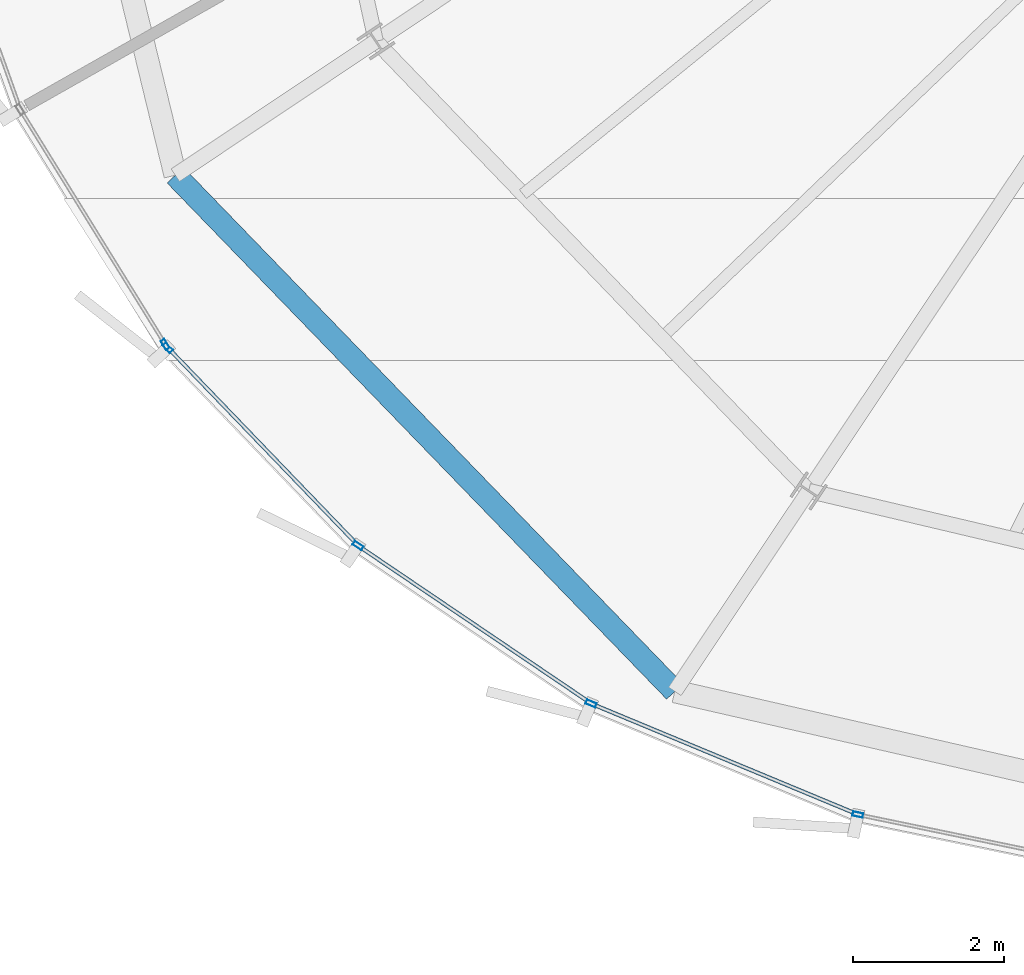
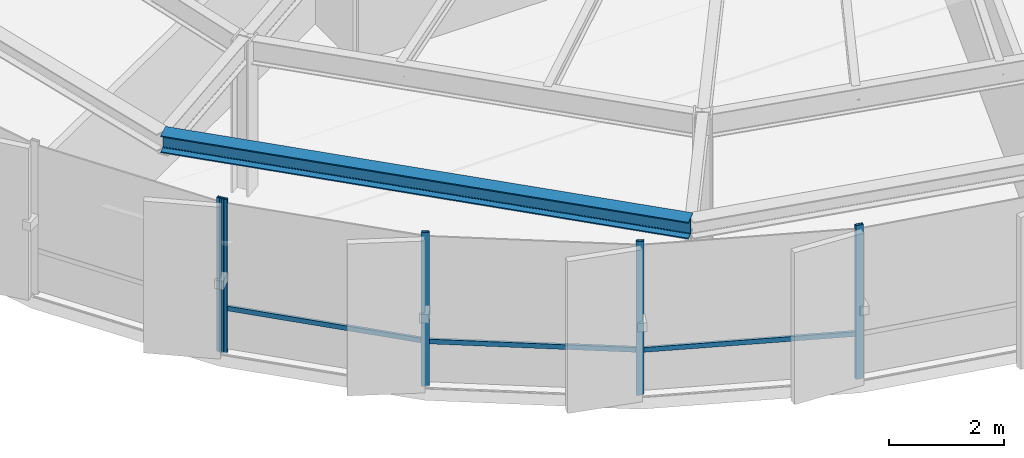
# One storey, part 2 of 34: 8 members, 1 beam, 2 elements without a shape of their own.
"""IFC4 building model written with IfcOpenShell, lengths in metres."""

from ifc_helpers import new_model, si_unit, direction, frame, origin, origin_2d, place, context, subcontext, project, spatial, hollow_rectangle, i_section, extrude, source, transform, mapped, material, layer, layer_set, material_profile, profile_set, type_object, element, aggregate, save


model = new_model("IFC4")

# Units and contexts
model_context = context("Model", 3, precision=1e-05, world=origin(), true_north=direction((0.0, 1.0)))
body_context = subcontext(model_context, "Body", "Model", "MODEL_VIEW")
ifc_project = project(units=[si_unit("LENGTHUNIT", "METRE"), si_unit("AREAUNIT", "SQUARE_METRE"), si_unit("VOLUMEUNIT", "CUBIC_METRE"), si_unit("PLANEANGLEUNIT", "RADIAN"), si_unit("MASSUNIT", "GRAM", prefix="KILO"), si_unit("THERMODYNAMICTEMPERATUREUNIT", "KELVIN")], contexts=[model_context])

# Site, building, storey
site_placement = place(None, origin())
site = spatial("IfcSite", under=ifc_project, at=site_placement, CompositionType="ELEMENT")
building_placement = place(site_placement, origin())
building = spatial("IfcBuilding", under=site, at=building_placement, Name="Kethvar Cultural Tower", CompositionType="ELEMENT")
storey_placement = place(building_placement, frame((0.0, 0.0, 186.89990234375)))
storey = spatial("IfcBuildingStorey", under=building, at=storey_placement, Name="L48", CompositionType="ELEMENT", Elevation=186.89990234375)

# Beam
ifc_material_1 = material(Name="Steel S355J2", Category="steel")
ifc_material_profile_1 = material_profile(ifc_material_1, i_section(OverallWidth=0.300048828125, OverallDepth=0.360107421875, WebThickness=0.012451171875, FlangeThickness=0.0224609375, FilletRadius=0.027099609375, at=origin_2d()), Name="Steel S355J2 — HEB360")
ifc_profile_set_1 = profile_set([ifc_material_profile_1], Name="Steel S355J2 — HEB360")
beam_type = type_object("IfcBeamType", Name="BM-SP360", PredefinedType="SPANDREL", material=ifc_profile_set_1)
shared_shape_1 = source(origin(), body_context, "Body", "SweptSolid", [
    extrude(i_section(OverallWidth=0.300048828125, OverallDepth=0.360107421875, WebThickness=0.012451171875, FlangeThickness=0.0224609375, FilletRadius=0.027099609375, at=origin_2d()), origin(), (0.0, 0.0, 1.0), 9.531982421875),
])
beam_placement = place(storey_placement, frame((26.556884765625, 14.27392578125, 3.078125), z_axis=(0.695343772208, -0.71867728394, 0.0), x_axis=(0.71867728394, 0.695343772208, 0.0)))
element("IfcBeam", 1, at=beam_placement, inside=storey, type_object=beam_type, Name="L48 Perimeter Spandrel Beam SP-10", PredefinedType="SPANDREL", context=body_context, shape_type="MappedRepresentation", body=[
    mapped(shared_shape_1, transform((0.0, 0.0, 0.0), scale=1.0)),
])

# Curtain wall, member
ifc_material_2 = material(Name="Aluminium 6063-T6", Category="aluminium")
ifc_layer = layer(ifc_material_2, 0.179931640625, Name="Aluminium 6063-T6", Category="aluminium")
ifc_layer_set = layer_set([ifc_layer], Name="Aluminium 6063-T6 (180 mm)")
curtain_wall_type = type_object("IfcCurtainWallType", Name="CW-SYS-04-Z34", PredefinedType="NOTDEFINED", material=ifc_layer_set)
curtain_wall_1_placement = place(storey_placement, origin())
curtain_wall_1 = element("IfcCurtainWall", 2, at=curtain_wall_1_placement, inside=storey, type_object=curtain_wall_type, Name="L48 Curtain Wall Run 03", PredefinedType="NOTDEFINED")
ifc_material_profile_2 = material_profile(ifc_material_2, hollow_rectangle(XDim=0.06005859375, YDim=0.139892578125, WallThickness=0.0048828125, at=origin_2d()), Name="Aluminium 6063-T6 — RHS140x60x5")
ifc_profile_set_2 = profile_set([ifc_material_profile_2], Name="Aluminium 6063-T6 — RHS140x60x5")
member_type_1 = type_object("IfcMemberType", Name="CW-SYS-04-Z34-MUL", PredefinedType="MULLION", material=ifc_profile_set_2)
shared_shape_2 = source(origin(), body_context, "Body", "SweptSolid", [
    extrude(hollow_rectangle(XDim=0.06005859375, YDim=0.139892578125, WallThickness=0.0048828125, at=origin_2d()), origin(), (0.0, 0.0, 1.0), 3.260009765625),
])
member_1_placement = place(storey_placement, frame((26.42333984375, 12.028564453125, 0.0), z_axis=(0.0, 0.0, 1.0), x_axis=(0.850746904601, 0.525575593337, 0.0)))
member_1 = element("IfcMember", 3, at=member_1_placement, type_object=member_type_1, Name="CW-L48-R03 Mullion 7", PredefinedType="MULLION", context=body_context, shape_type="MappedRepresentation", body=[
    mapped(shared_shape_2, transform((0.0, 0.0, 0.0), scale=1.0)),
])
aggregate(curtain_wall_1, [member_1])

# Curtain wall, members
curtain_wall_2_placement = place(storey_placement, origin())
curtain_wall_2 = element("IfcCurtainWall", 4, at=curtain_wall_2_placement, inside=storey, type_object=curtain_wall_type, Name="L48 Curtain Wall Run 04", PredefinedType="NOTDEFINED")
member_2_placement = place(storey_placement, frame((26.45654296875, 11.985595703125, 0.0), z_axis=(0.0, 0.0, 1.0), x_axis=(0.720635821317, 0.693313791176, 0.0)))
member_2 = element("IfcMember", 5, at=member_2_placement, type_object=member_type_1, Name="CW-L48-R04 Mullion 1", PredefinedType="MULLION", context=body_context, shape_type="MappedRepresentation", body=[
    mapped(shared_shape_2, transform((0.0, 0.0, 0.0), scale=1.0)),
])
member_3_placement = place(storey_placement, frame((28.980712890625, 9.358642578125, 0.0), z_axis=(0.0, 0.0, 1.0), x_axis=(0.560638994563, 0.828060334622, 0.0)))
member_3 = element("IfcMember", 6, at=member_3_placement, type_object=member_type_1, Name="CW-L48-R04 Mullion 2", PredefinedType="MULLION", context=body_context, shape_type="MappedRepresentation", body=[
    mapped(shared_shape_2, transform((0.0, 0.0, 0.0), scale=1.0)),
])
member_4_placement = place(storey_placement, frame((32.0732421875, 7.26220703125, 0.0), z_axis=(0.0, 0.0, 1.0), x_axis=(0.383779644895, 0.923424704112, 0.0)))
member_4 = element("IfcMember", 7, at=member_4_placement, type_object=member_type_1, Name="CW-L48-R04 Mullion 3", PredefinedType="MULLION", context=body_context, shape_type="MappedRepresentation", body=[
    mapped(shared_shape_2, transform((0.0, 0.0, 0.0), scale=1.0)),
])
member_5_placement = place(storey_placement, frame((35.614013671875, 5.788330078125, 0.0), z_axis=(0.0, 0.0, 1.0), x_axis=(0.202753113909, 0.979229888637, 0.0)))
member_5 = element("IfcMember", 8, at=member_5_placement, type_object=member_type_1, Name="CW-L48-R04 Mullion 4", PredefinedType="MULLION", context=body_context, shape_type="MappedRepresentation", body=[
    mapped(shared_shape_2, transform((0.0, 0.0, 0.0), scale=1.0)),
])
ifc_material_profile_3 = material_profile(ifc_material_2, hollow_rectangle(XDim=0.050048828125, YDim=0.10009765625, WallThickness=0.00390625, at=origin_2d()), Name="Aluminium 6063-T6 — RHS100x50x4")
ifc_profile_set_3 = profile_set([ifc_material_profile_3], Name="Aluminium 6063-T6 — RHS100x50x4")
member_type_2 = type_object("IfcMemberType", Name="CW-SYS-04-Z34-TRN", PredefinedType="USERDEFINED", material=ifc_profile_set_3)
shared_shape_3 = source(origin(), body_context, "Body", "SweptSolid", [
    extrude(hollow_rectangle(XDim=0.050048828125, YDim=0.10009765625, WallThickness=0.00390625, at=origin_2d()), origin(), (0.0, 0.0, 1.0), 3.61865234375),
])
member_6_placement = place(storey_placement, frame((26.45947265625, 11.982666015625, 0.9501953125), z_axis=(0.693312288617, -0.720637266905, 0.0), x_axis=(0.720637266905, 0.693312288617, 0.0)))
member_6 = element("IfcMember", 9, at=member_6_placement, type_object=member_type_2, Name="CW-L48-R04 Transom 1", ObjectType="TRANSOM", PredefinedType="USERDEFINED", context=body_context, shape_type="MappedRepresentation", body=[
    mapped(shared_shape_3, transform((0.0, 0.0, 0.0), scale=1.0)),
])
shared_shape_4 = source(origin(), body_context, "Body", "SweptSolid", [
    extrude(hollow_rectangle(XDim=0.050048828125, YDim=0.10009765625, WallThickness=0.00390625, at=origin_2d()), origin(), (0.0, 0.0, 1.0), 3.671875),
])
member_7_placement = place(storey_placement, frame((29.016357421875, 9.33447265625, 0.9501953125), z_axis=(0.828060084748, -0.560639363626, 0.0), x_axis=(0.560639363626, 0.828060084748, 0.0)))
member_7 = element("IfcMember", 10, at=member_7_placement, type_object=member_type_2, Name="CW-L48-R04 Transom 2", ObjectType="TRANSOM", PredefinedType="USERDEFINED", context=body_context, shape_type="MappedRepresentation", body=[
    mapped(shared_shape_4, transform((0.0, 0.0, 0.0), scale=1.0)),
])
shared_shape_5 = source(origin(), body_context, "Body", "SweptSolid", [
    extrude(hollow_rectangle(XDim=0.050048828125, YDim=0.10009765625, WallThickness=0.00390625, at=origin_2d()), origin(), (0.0, 0.0, 1.0), 3.76953125),
])
member_8_placement = place(storey_placement, frame((32.113037109375, 7.24560546875, 0.9501953125), z_axis=(0.923417629608, -0.383796666647, 0.0), x_axis=(0.383796666647, 0.923417629608, 0.0)))
member_8 = element("IfcMember", 11, at=member_8_placement, type_object=member_type_2, Name="CW-L48-R04 Transom 3", ObjectType="TRANSOM", PredefinedType="USERDEFINED", context=body_context, shape_type="MappedRepresentation", body=[
    mapped(shared_shape_5, transform((0.0, 0.0, 0.0), scale=1.0)),
])
aggregate(curtain_wall_2, [member_2, member_3, member_4, member_5, member_6, member_7, member_8])

save(model, "model.ifc")
